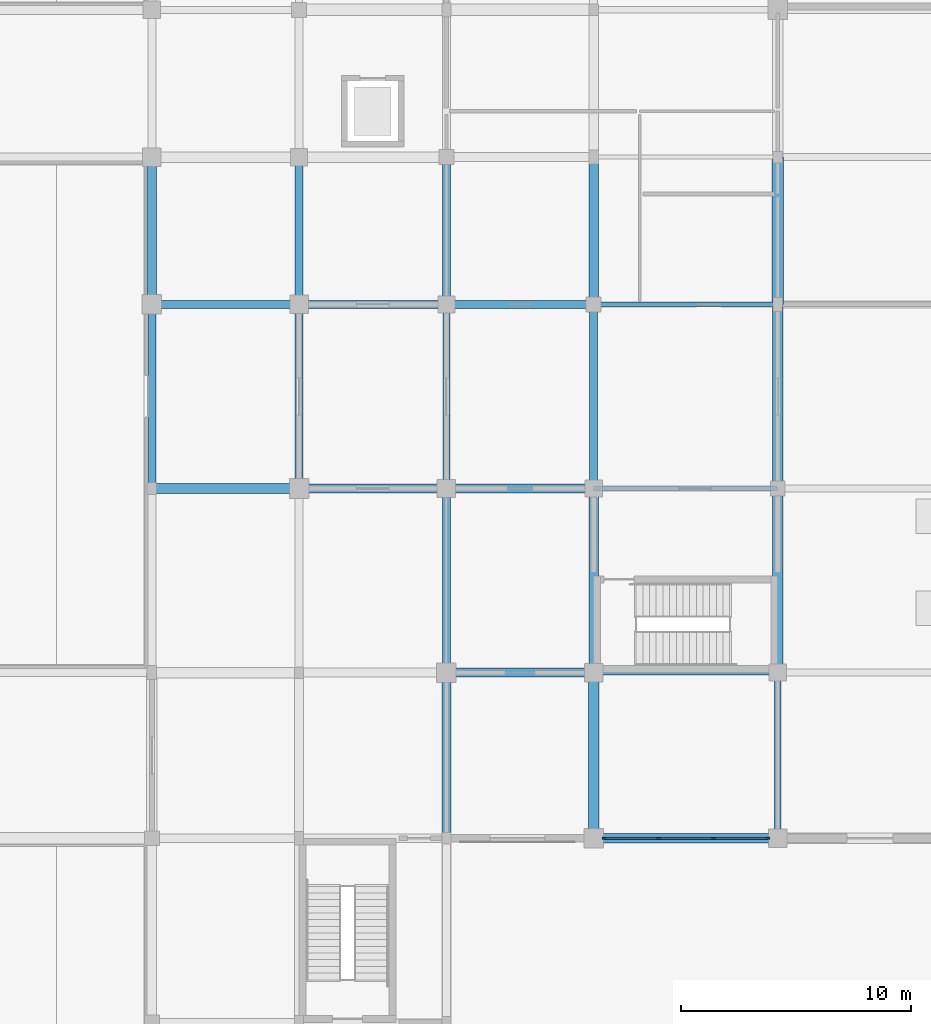
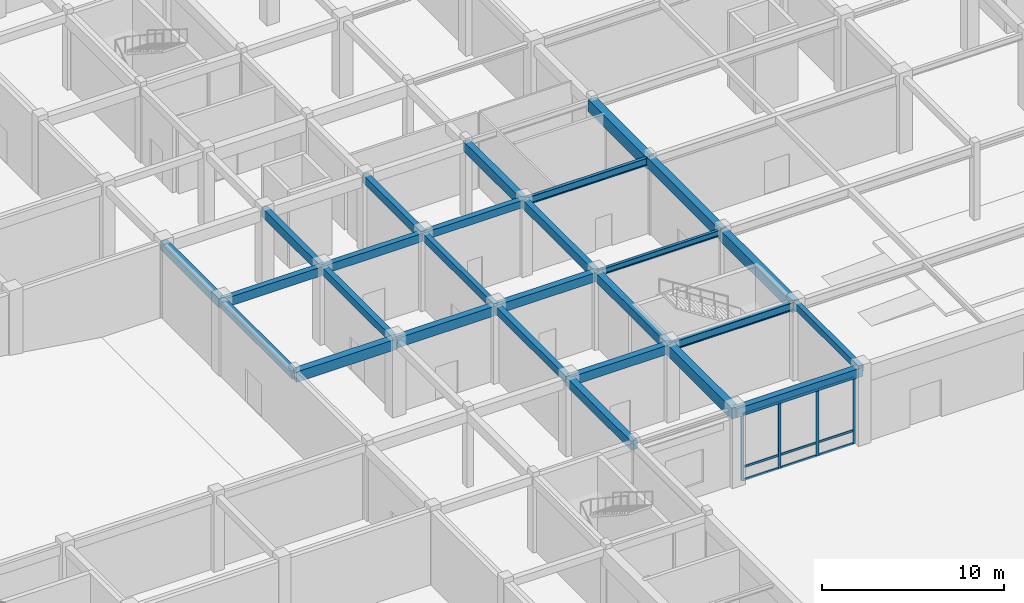
# One storey, part 8 of 40: 27 beams, 13 members, 1 element without a shape of its own.
"""IFC4 building model written with IfcOpenShell, lengths in metres."""

from ifc_helpers import new_model, si_unit, direction, frame, origin, origin_2d, place, context, subcontext, project, spatial, rectangle, i_section, extrude, material, material_profile, profile_set, type_object, element, aggregate, save


model = new_model("IFC4")

# Units and contexts
model_context = context("Model", 3, precision=1e-05, world=origin(), true_north=direction((0.0, 1.0)))
body_context = subcontext(model_context, "Body", "Model", "MODEL_VIEW")
ifc_project = project(units=[si_unit("LENGTHUNIT", "METRE"), si_unit("AREAUNIT", "SQUARE_METRE"), si_unit("VOLUMEUNIT", "CUBIC_METRE"), si_unit("PLANEANGLEUNIT", "RADIAN"), si_unit("MASSUNIT", "GRAM", prefix="KILO")], contexts=[model_context])

# Site, building, storey
site_placement = place(None, origin())
site = spatial("IfcSite", under=ifc_project, at=site_placement, CompositionType="ELEMENT")
building_placement = place(site_placement, origin())
building = spatial("IfcBuilding", under=site, at=building_placement, Name="Vellmiral Cinema and Media Centre", CompositionType="ELEMENT")
storey_placement = place(building_placement, origin())
storey = spatial("IfcBuildingStorey", under=building, at=storey_placement, Name="L00", CompositionType="ELEMENT", Elevation=0.0)

# Beams
ifc_material_1 = material(Name="Concrete C40/50", Category="concrete")
ifc_material_profile_1 = material_profile(ifc_material_1, rectangle(XDim=0.300048828125, YDim=0.449951171875, at=origin_2d()), Name="RC 300x450")
ifc_profile_set_1 = profile_set([ifc_material_profile_1], Name="Concrete C40/50")
beam_type_1 = type_object("IfcBeamType", Name="BM-RC-300x450", PredefinedType="BEAM", material=ifc_profile_set_1)
beam_1_placement = place(storey_placement, frame((62.39990234375, 36.0, 4.85009765625), z_axis=(0.0, 1.0, 0.0), x_axis=(-1.0, 0.0, 0.0)))
element("IfcBeam", 1, at=beam_1_placement, inside=storey, type_object=beam_type_1, Name="Grid Beam L00-Y260", PredefinedType="BEAM", context=body_context, shape_type="SweptSolid", body=[
    extrude(rectangle(XDim=0.300048828125, YDim=0.449951171875, at=origin_2d()), origin(), (0.0, 0.0, 1.0), 7.199951171875),
])
ifc_material_2 = material(Name="Concrete C40/50", Category="concrete")
ifc_material_profile_2 = material_profile(ifc_material_2, rectangle(XDim=0.300048828125, YDim=0.5, at=origin_2d()), Name="RC 300x500")
ifc_profile_set_2 = profile_set([ifc_material_profile_2], Name="Concrete C40/50")
beam_type_2 = type_object("IfcBeamType", Name="BM-RC-300x500", PredefinedType="BEAM", material=ifc_profile_set_2)
beam_2_placement = place(storey_placement, frame((48.0, 51.199951171875, 4.824951171875), z_axis=(0.0, 1.0, 0.0), x_axis=(-1.0, 0.0, 0.0)))
element("IfcBeam", 2, at=beam_2_placement, inside=storey, type_object=beam_type_2, Name="Grid Beam L00-Y246", PredefinedType="BEAM", context=body_context, shape_type="SweptSolid", body=[
    extrude(rectangle(XDim=0.300048828125, YDim=0.5, at=origin_2d()), origin(), (0.0, 0.0, 1.0), 8.0),
])
ifc_material_3 = material(Name="Concrete C40/50", Category="concrete")
ifc_material_profile_3 = material_profile(ifc_material_3, rectangle(XDim=0.35009765625, YDim=0.5, at=origin_2d()), Name="RC 350x500")
ifc_profile_set_3 = profile_set([ifc_material_profile_3], Name="Concrete C40/50")
beam_type_3 = type_object("IfcBeamType", Name="BM-RC-350x500", PredefinedType="BEAM", material=ifc_profile_set_3)
beam_3_placement = place(storey_placement, frame((48.0, 59.199951171875, 4.824951171875), z_axis=(1.0, 0.0, 0.0), x_axis=(0.0, 1.0, 0.0)))
element("IfcBeam", 3, at=beam_3_placement, inside=storey, type_object=beam_type_3, Name="Grid Beam L00-X072", PredefinedType="BEAM", context=body_context, shape_type="SweptSolid", body=[
    extrude(rectangle(XDim=0.35009765625, YDim=0.5, at=origin_2d()), origin(), (0.0, 0.0, 1.0), 6.39990234375),
])
for number, where, z_axis, x_axis, name in (
    (4, (41.60009765625, 51.199951171875, 4.824951171875), (0.0, 1.0, 0.0), (-1.0, 0.0, 0.0), "Grid Beam L00-Y234"),
    (5, (48.0, 43.199951171875, 4.824951171875), (0.0, 1.0, 0.0), (-1.0, 0.0, 0.0), "Grid Beam L00-Y245"),
):
    element("IfcBeam", number, at=place(storey_placement, frame(where, z_axis=z_axis, x_axis=x_axis)), inside=storey, type_object=beam_type_3, Name=name, PredefinedType="BEAM", context=body_context, shape_type="SweptSolid", body=[
        extrude(rectangle(XDim=0.35009765625, YDim=0.5, at=origin_2d()), origin(), (0.0, 0.0, 1.0), 8.0),
    ])
ifc_material_4 = material(Name="Concrete C40/50", Category="concrete")
ifc_material_profile_4 = material_profile(ifc_material_4, rectangle(XDim=0.35009765625, YDim=0.550048828125, at=origin_2d()), Name="RC 350x550")
ifc_profile_set_4 = profile_set([ifc_material_profile_4], Name="Concrete C40/50")
beam_type_4 = type_object("IfcBeamType", Name="BM-RC-350x550", PredefinedType="BEAM", material=ifc_profile_set_4)
beam_4_placement = place(storey_placement, frame((41.60009765625, 59.199951171875, 4.800048828125), z_axis=(1.0, 0.0, 0.0), x_axis=(0.0, 1.0, 0.0)))
element("IfcBeam", 6, at=beam_4_placement, inside=storey, type_object=beam_type_4, Name="Grid Beam L00-X071", PredefinedType="BEAM", context=body_context, shape_type="SweptSolid", body=[
    extrude(rectangle(XDim=0.35009765625, YDim=0.550048828125, at=origin_2d()), origin(), (0.0, 0.0, 1.0), 6.39990234375),
])
beam_5_placement = place(storey_placement, frame((35.199951171875, 51.199951171875, 4.800048828125), z_axis=(0.0, 1.0, 0.0), x_axis=(-1.0, 0.0, 0.0)))
element("IfcBeam", 7, at=beam_5_placement, inside=storey, type_object=beam_type_4, Name="Grid Beam L00-Y222", PredefinedType="BEAM", context=body_context, shape_type="SweptSolid", body=[
    extrude(rectangle(XDim=0.35009765625, YDim=0.550048828125, at=origin_2d()), origin(), (0.0, 0.0, 1.0), 8.0),
])
beam_6_placement = place(storey_placement, frame((48.0, 59.199951171875, 4.800048828125), z_axis=(0.0, 1.0, 0.0), x_axis=(-1.0, 0.0, 0.0)))
element("IfcBeam", 8, at=beam_6_placement, inside=storey, type_object=beam_type_4, Name="Grid Beam L00-Y247", PredefinedType="BEAM", context=body_context, shape_type="SweptSolid", body=[
    extrude(rectangle(XDim=0.35009765625, YDim=0.550048828125, at=origin_2d()), origin(), (0.0, 0.0, 1.0), 6.400146484375),
])
ifc_material_5 = material(Name="Concrete C40/50", Category="concrete")
ifc_material_profile_5 = material_profile(ifc_material_5, rectangle(XDim=0.35009765625, YDim=0.60009765625, at=origin_2d()), Name="RC 350x600")
ifc_profile_set_5 = profile_set([ifc_material_profile_5], Name="Concrete C40/50")
beam_type_5 = type_object("IfcBeamType", Name="BM-RC-350x600", PredefinedType="BEAM", material=ifc_profile_set_5)
for number, where, z_axis, x_axis, name in (
    (9, (35.199951171875, 59.199951171875, 4.77490234375), (1.0, 0.0, 0.0), (0.0, 1.0, 0.0), "Grid Beam L00-X070"),
    (10, (41.60009765625, 59.199951171875, 4.77490234375), (0.0, 1.0, 0.0), (-1.0, 0.0, 0.0), "Grid Beam L00-Y235"),
):
    element("IfcBeam", number, at=place(storey_placement, frame(where, z_axis=z_axis, x_axis=x_axis)), inside=storey, type_object=beam_type_5, Name=name, PredefinedType="BEAM", context=body_context, shape_type="SweptSolid", body=[
        extrude(rectangle(XDim=0.35009765625, YDim=0.60009765625, at=origin_2d()), origin(), (0.0, 0.0, 1.0), 6.400146484375),
    ])
beam_7_placement = place(storey_placement, frame((54.39990234375, 51.199951171875, 4.77490234375), z_axis=(0.0, 1.0, 0.0), x_axis=(-1.0, 0.0, 0.0)))
element("IfcBeam", 11, at=beam_7_placement, inside=storey, type_object=beam_type_5, Name="Grid Beam L00-Y254", PredefinedType="BEAM", context=body_context, shape_type="SweptSolid", body=[
    extrude(rectangle(XDim=0.35009765625, YDim=0.60009765625, at=origin_2d()), origin(), (0.0, 0.0, 1.0), 8.0),
])
ifc_material_6 = material(Name="Concrete C40/50", Category="concrete")
ifc_material_profile_6 = material_profile(ifc_material_6, rectangle(XDim=0.39990234375, YDim=0.60009765625, at=origin_2d()), Name="RC 400x600")
ifc_profile_set_6 = profile_set([ifc_material_profile_6], Name="Concrete C40/50")
beam_type_6 = type_object("IfcBeamType", Name="BM-RC-400x600", PredefinedType="BEAM", material=ifc_profile_set_6)
for number, where, z_axis, x_axis, name in (
    (12, (48.0, 43.199951171875, 4.77490234375), (1.0, 0.0, 0.0), (0.0, 1.0, 0.0), "Grid Beam L00-X047"),
    (13, (48.0, 51.199951171875, 4.77490234375), (1.0, 0.0, 0.0), (0.0, 1.0, 0.0), "Grid Beam L00-X058"),
):
    element("IfcBeam", number, at=place(storey_placement, frame(where, z_axis=z_axis, x_axis=x_axis)), inside=storey, type_object=beam_type_6, Name=name, PredefinedType="BEAM", context=body_context, shape_type="SweptSolid", body=[
        extrude(rectangle(XDim=0.39990234375, YDim=0.60009765625, at=origin_2d()), origin(), (0.0, 0.0, 1.0), 6.39990234375),
    ])
beam_8_placement = place(storey_placement, frame((35.199951171875, 59.199951171875, 4.77490234375), z_axis=(0.0, 1.0, 0.0), x_axis=(-1.0, 0.0, 0.0)))
element("IfcBeam", 14, at=beam_8_placement, inside=storey, type_object=beam_type_6, Name="Grid Beam L00-Y223", PredefinedType="BEAM", context=body_context, shape_type="SweptSolid", body=[
    extrude(rectangle(XDim=0.39990234375, YDim=0.60009765625, at=origin_2d()), origin(), (0.0, 0.0, 1.0), 6.400146484375),
])
beam_9_placement = place(storey_placement, frame((48.0, 36.0, 4.77490234375), z_axis=(0.0, 1.0, 0.0), x_axis=(-1.0, 0.0, 0.0)))
element("IfcBeam", 15, at=beam_9_placement, inside=storey, type_object=beam_type_6, Name="Grid Beam L00-Y244", PredefinedType="BEAM", context=body_context, shape_type="SweptSolid", body=[
    extrude(rectangle(XDim=0.39990234375, YDim=0.60009765625, at=origin_2d()), origin(), (0.0, 0.0, 1.0), 7.199951171875),
])
beam_10_placement = place(storey_placement, frame((54.39990234375, 43.199951171875, 4.77490234375), z_axis=(0.0, 1.0, 0.0), x_axis=(-1.0, 0.0, 0.0)))
element("IfcBeam", 16, at=beam_10_placement, inside=storey, type_object=beam_type_6, Name="Grid Beam L00-Y253", PredefinedType="BEAM", context=body_context, shape_type="SweptSolid", body=[
    extrude(rectangle(XDim=0.39990234375, YDim=0.60009765625, at=origin_2d()), origin(), (0.0, 0.0, 1.0), 8.0),
])
ifc_material_7 = material(Name="Concrete C40/50", Category="concrete")
ifc_material_profile_7 = material_profile(ifc_material_7, rectangle(XDim=0.39990234375, YDim=0.64990234375, at=origin_2d()), Name="RC 400x650")
ifc_profile_set_7 = profile_set([ifc_material_profile_7], Name="Concrete C40/50")
beam_type_7 = type_object("IfcBeamType", Name="BM-RC-400x650", PredefinedType="BEAM", material=ifc_profile_set_7)
beam_11_placement = place(storey_placement, frame((41.60009765625, 51.199951171875, 4.75), z_axis=(1.0, 0.0, 0.0), x_axis=(0.0, 1.0, 0.0)))
element("IfcBeam", 17, at=beam_11_placement, inside=storey, type_object=beam_type_7, Name="Grid Beam L00-X057", PredefinedType="BEAM", context=body_context, shape_type="SweptSolid", body=[
    extrude(rectangle(XDim=0.39990234375, YDim=0.64990234375, at=origin_2d()), origin(), (0.0, 0.0, 1.0), 6.39990234375),
])
beam_12_placement = place(storey_placement, frame((54.39990234375, 59.199951171875, 4.75), z_axis=(0.0, 1.0, 0.0), x_axis=(-1.0, 0.0, 0.0)))
element("IfcBeam", 18, at=beam_12_placement, inside=storey, type_object=beam_type_7, Name="Grid Beam L00-Y255", PredefinedType="BEAM", context=body_context, shape_type="SweptSolid", body=[
    extrude(rectangle(XDim=0.39990234375, YDim=0.64990234375, at=origin_2d()), origin(), (0.0, 0.0, 1.0), 6.400146484375),
])
ifc_material_8 = material(Name="Concrete C40/50", Category="concrete")
ifc_material_profile_8 = material_profile(ifc_material_8, rectangle(XDim=0.449951171875, YDim=0.699951171875, at=origin_2d()), Name="RC 450x700")
ifc_profile_set_8 = profile_set([ifc_material_profile_8], Name="Concrete C40/50")
beam_type_8 = type_object("IfcBeamType", Name="BM-RC-450x700", PredefinedType="BEAM", material=ifc_profile_set_8)
beam_13_placement = place(storey_placement, frame((35.199951171875, 51.199951171875, 4.72509765625), z_axis=(1.0, 0.0, 0.0), x_axis=(0.0, 1.0, 0.0)))
element("IfcBeam", 19, at=beam_13_placement, inside=storey, type_object=beam_type_8, Name="Grid Beam L00-X056", PredefinedType="BEAM", context=body_context, shape_type="SweptSolid", body=[
    extrude(rectangle(XDim=0.449951171875, YDim=0.699951171875, at=origin_2d()), origin(), (0.0, 0.0, 1.0), 6.400146484375),
])
beam_14_placement = place(storey_placement, frame((62.39990234375, 51.199951171875, 4.72509765625), z_axis=(0.0, 1.0, 0.0), x_axis=(-1.0, 0.0, 0.0)))
element("IfcBeam", 20, at=beam_14_placement, inside=storey, type_object=beam_type_8, Name="Grid Beam L00-Y262", PredefinedType="BEAM", context=body_context, shape_type="SweptSolid", body=[
    extrude(rectangle(XDim=0.449951171875, YDim=0.699951171875, at=origin_2d()), origin(), (0.0, 0.0, 1.0), 8.0),
])
ifc_material_9 = material(Name="Concrete C40/50", Category="concrete")
ifc_material_profile_9 = material_profile(ifc_material_9, rectangle(XDim=0.449951171875, YDim=0.75, at=origin_2d()), Name="RC 450x750")
ifc_profile_set_9 = profile_set([ifc_material_profile_9], Name="Concrete C40/50")
beam_type_9 = type_object("IfcBeamType", Name="BM-RC-450x750", PredefinedType="BEAM", material=ifc_profile_set_9)
beam_15_placement = place(storey_placement, frame((54.39990234375, 36.0, 4.699951171875), z_axis=(0.0, 1.0, 0.0), x_axis=(-1.0, 0.0, 0.0)))
element("IfcBeam", 21, at=beam_15_placement, inside=storey, type_object=beam_type_9, Name="Grid Beam L00-Y252", PredefinedType="BEAM", context=body_context, shape_type="SweptSolid", body=[
    extrude(rectangle(XDim=0.449951171875, YDim=0.75, at=origin_2d()), origin(), (0.0, 0.0, 1.0), 7.199951171875),
])
beam_16_placement = place(storey_placement, frame((62.39990234375, 43.199951171875, 4.699951171875), z_axis=(0.0, 1.0, 0.0), x_axis=(-1.0, 0.0, 0.0)))
element("IfcBeam", 22, at=beam_16_placement, inside=storey, type_object=beam_type_9, Name="Grid Beam L00-Y261", PredefinedType="BEAM", context=body_context, shape_type="SweptSolid", body=[
    extrude(rectangle(XDim=0.449951171875, YDim=0.75, at=origin_2d()), origin(), (0.0, 0.0, 1.0), 8.0),
])
ifc_material_10 = material(Name="Concrete C40/50", Category="concrete")
ifc_material_profile_10 = material_profile(ifc_material_10, rectangle(XDim=0.5, YDim=0.800048828125, at=origin_2d()), Name="RC 500x800")
ifc_profile_set_10 = profile_set([ifc_material_profile_10], Name="Concrete C40/50")
beam_type_10 = type_object("IfcBeamType", Name="BM-RC-500x800", PredefinedType="BEAM", material=ifc_profile_set_10)
beam_17_placement = place(storey_placement, frame((62.39990234375, 59.199951171875, 4.675048828125), z_axis=(0.0, 1.0, 0.0), x_axis=(-1.0, 0.0, 0.0)))
element("IfcBeam", 23, at=beam_17_placement, inside=storey, type_object=beam_type_10, Name="Grid Beam L00-Y263", PredefinedType="BEAM", context=body_context, shape_type="SweptSolid", body=[
    extrude(rectangle(XDim=0.5, YDim=0.800048828125, at=origin_2d()), origin(), (0.0, 0.0, 1.0), 6.400146484375),
])

# Curtain wall, members
ifc_material_11 = material(Name="Thermally Broken Aluminium and Triple Glazing", Category="aluminium")
curtain_wall_type = type_object("IfcCurtainWallType", Name="CW-POD-GALLERY", PredefinedType="USERDEFINED", material=ifc_material_11)
curtain_wall_placement = place(storey_placement, origin())
curtain_wall = element("IfcCurtainWall", 24, at=curtain_wall_placement, inside=storey, type_object=curtain_wall_type, Name="Curtain Wall L00-B013", ObjectType="STICK CURTAIN WALL", PredefinedType="USERDEFINED")
ifc_material_12 = material(Name="Thermally Broken Anodised Aluminium", Category="aluminium")
ifc_material_profile_11 = material_profile(ifc_material_12, rectangle(XDim=0.070068359375, YDim=0.179931640625, at=origin_2d()), Name="MULL 70x180")
ifc_profile_set_11 = profile_set([ifc_material_profile_11], Name="Thermally Broken Anodised Aluminium")
member_type_1 = type_object("IfcMemberType", Name="CWM-70x180", PredefinedType="MULLION", material=ifc_profile_set_11)
member_1_placement = place(storey_placement, frame((54.860107421875, 36.0, 0.0), z_axis=(0.0, 0.0, 1.0), x_axis=(0.0, 1.0, 0.0)))
member_1 = element("IfcMember", 25, at=member_1_placement, type_object=member_type_1, Name="CW-04 mullion 1", PredefinedType="MULLION", context=body_context, shape_type="SweptSolid", body=[
    extrude(rectangle(XDim=0.070068359375, YDim=0.179931640625, at=origin_2d()), origin(), (0.0, 0.0, 1.0), 4.465087890625),
])
member_2_placement = place(storey_placement, frame((57.216552734375, 36.0, 0.0), z_axis=(0.0, 0.0, 1.0), x_axis=(0.0, 1.0, 0.0)))
member_2 = element("IfcMember", 26, at=member_2_placement, type_object=member_type_1, Name="CW-04 mullion 2", PredefinedType="MULLION", context=body_context, shape_type="SweptSolid", body=[
    extrude(rectangle(XDim=0.070068359375, YDim=0.179931640625, at=origin_2d()), origin(), (0.0, 0.0, 1.0), 4.465087890625),
])
member_3_placement = place(storey_placement, frame((59.6083984375, 36.0, 0.0), z_axis=(0.0, 0.0, 1.0), x_axis=(0.0, 1.0, 0.0)))
member_3 = element("IfcMember", 27, at=member_3_placement, type_object=member_type_1, Name="CW-04 mullion 3", PredefinedType="MULLION", context=body_context, shape_type="SweptSolid", body=[
    extrude(rectangle(XDim=0.070068359375, YDim=0.179931640625, at=origin_2d()), origin(), (0.0, 0.0, 1.0), 4.465087890625),
])
member_4_placement = place(storey_placement, frame((61.965087890625, 36.0, 0.0), z_axis=(0.0, 0.0, 1.0), x_axis=(0.0, 1.0, 0.0)))
member_4 = element("IfcMember", 28, at=member_4_placement, type_object=member_type_1, Name="CW-04 mullion 4", PredefinedType="MULLION", context=body_context, shape_type="SweptSolid", body=[
    extrude(rectangle(XDim=0.070068359375, YDim=0.179931640625, at=origin_2d()), origin(), (0.0, 0.0, 1.0), 4.465087890625),
])
ifc_material_13 = material(Name="Thermally Broken Anodised Aluminium", Category="aluminium")
ifc_material_profile_12 = material_profile(ifc_material_13, rectangle(XDim=0.070068359375, YDim=0.14990234375, at=origin_2d()), Name="MULL 70x150")
ifc_profile_set_12 = profile_set([ifc_material_profile_12], Name="Thermally Broken Anodised Aluminium")
member_type_2 = type_object("IfcMemberType", Name="CWT-70x150", PredefinedType="USERDEFINED", material=ifc_profile_set_12)
member_5_placement = place(storey_placement, frame((54.89501953125, 36.0, 0.034912109375), z_axis=(1.0, 0.0, 0.0), x_axis=(0.0, 1.0, 0.0)))
member_5 = element("IfcMember", 29, at=member_5_placement, type_object=member_type_2, Name="CW-04 transom 1.1", ObjectType="TRANSOM", PredefinedType="USERDEFINED", context=body_context, shape_type="SweptSolid", body=[
    extrude(rectangle(XDim=0.070068359375, YDim=0.14990234375, at=origin_2d()), origin(), (0.0, 0.0, 1.0), 2.28662109375),
])
member_6_placement = place(storey_placement, frame((54.89501953125, 36.0, 0.89990234375), z_axis=(1.0, 0.0, 0.0), x_axis=(0.0, 1.0, 0.0)))
member_6 = element("IfcMember", 30, at=member_6_placement, type_object=member_type_2, Name="CW-04 transom 1.2", ObjectType="TRANSOM", PredefinedType="USERDEFINED", context=body_context, shape_type="SweptSolid", body=[
    extrude(rectangle(XDim=0.070068359375, YDim=0.14990234375, at=origin_2d()), origin(), (0.0, 0.0, 1.0), 2.28662109375),
])
member_7_placement = place(storey_placement, frame((54.89501953125, 36.0, 4.429931640625), z_axis=(1.0, 0.0, 0.0), x_axis=(0.0, 1.0, 0.0)))
member_7 = element("IfcMember", 31, at=member_7_placement, type_object=member_type_2, Name="CW-04 transom 1.3", ObjectType="TRANSOM", PredefinedType="USERDEFINED", context=body_context, shape_type="SweptSolid", body=[
    extrude(rectangle(XDim=0.070068359375, YDim=0.14990234375, at=origin_2d()), origin(), (0.0, 0.0, 1.0), 2.28662109375),
])
member_8_placement = place(storey_placement, frame((57.251708984375, 36.0, 0.034912109375), z_axis=(1.0, 0.0, 0.0), x_axis=(0.0, 1.0, 0.0)))
member_8 = element("IfcMember", 32, at=member_8_placement, type_object=member_type_2, Name="CW-04 transom 2.1", ObjectType="TRANSOM", PredefinedType="USERDEFINED", context=body_context, shape_type="SweptSolid", body=[
    extrude(rectangle(XDim=0.070068359375, YDim=0.14990234375, at=origin_2d()), origin(), (0.0, 0.0, 1.0), 2.321533203125),
])
member_9_placement = place(storey_placement, frame((57.251708984375, 36.0, 0.89990234375), z_axis=(1.0, 0.0, 0.0), x_axis=(0.0, 1.0, 0.0)))
member_9 = element("IfcMember", 33, at=member_9_placement, type_object=member_type_2, Name="CW-04 transom 2.2", ObjectType="TRANSOM", PredefinedType="USERDEFINED", context=body_context, shape_type="SweptSolid", body=[
    extrude(rectangle(XDim=0.070068359375, YDim=0.14990234375, at=origin_2d()), origin(), (0.0, 0.0, 1.0), 2.321533203125),
])
member_10_placement = place(storey_placement, frame((57.251708984375, 36.0, 4.429931640625), z_axis=(1.0, 0.0, 0.0), x_axis=(0.0, 1.0, 0.0)))
member_10 = element("IfcMember", 34, at=member_10_placement, type_object=member_type_2, Name="CW-04 transom 2.3", ObjectType="TRANSOM", PredefinedType="USERDEFINED", context=body_context, shape_type="SweptSolid", body=[
    extrude(rectangle(XDim=0.070068359375, YDim=0.14990234375, at=origin_2d()), origin(), (0.0, 0.0, 1.0), 2.321533203125),
])
member_11_placement = place(storey_placement, frame((59.643310546875, 36.0, 0.034912109375), z_axis=(1.0, 0.0, 0.0), x_axis=(0.0, 1.0, 0.0)))
member_11 = element("IfcMember", 35, at=member_11_placement, type_object=member_type_2, Name="CW-04 transom 3.1", ObjectType="TRANSOM", PredefinedType="USERDEFINED", context=body_context, shape_type="SweptSolid", body=[
    extrude(rectangle(XDim=0.070068359375, YDim=0.14990234375, at=origin_2d()), origin(), (0.0, 0.0, 1.0), 2.28662109375),
])
member_12_placement = place(storey_placement, frame((59.643310546875, 36.0, 0.89990234375), z_axis=(1.0, 0.0, 0.0), x_axis=(0.0, 1.0, 0.0)))
member_12 = element("IfcMember", 36, at=member_12_placement, type_object=member_type_2, Name="CW-04 transom 3.2", ObjectType="TRANSOM", PredefinedType="USERDEFINED", context=body_context, shape_type="SweptSolid", body=[
    extrude(rectangle(XDim=0.070068359375, YDim=0.14990234375, at=origin_2d()), origin(), (0.0, 0.0, 1.0), 2.28662109375),
])
member_13_placement = place(storey_placement, frame((59.643310546875, 36.0, 4.429931640625), z_axis=(1.0, 0.0, 0.0), x_axis=(0.0, 1.0, 0.0)))
member_13 = element("IfcMember", 37, at=member_13_placement, type_object=member_type_2, Name="CW-04 transom 3.3", ObjectType="TRANSOM", PredefinedType="USERDEFINED", context=body_context, shape_type="SweptSolid", body=[
    extrude(rectangle(XDim=0.070068359375, YDim=0.14990234375, at=origin_2d()), origin(), (0.0, 0.0, 1.0), 2.28662109375),
])
aggregate(curtain_wall, [member_1, member_2, member_3, member_4, member_5, member_6, member_7, member_8, member_9, member_10, member_11, member_12, member_13])

# Beams
ifc_material_14 = material(Name="Steel S355", Category="steel")
ifc_material_profile_13 = material_profile(ifc_material_14, i_section(OverallWidth=0.179931640625, OverallDepth=0.39990234375, WebThickness=0.008544921875, FlangeThickness=0.013427734375, FilletRadius=0.02099609375, at=origin_2d()), Name="IPE 400")
ifc_profile_set_13 = profile_set([ifc_material_profile_13], Name="Steel S355")
beam_type_11 = type_object("IfcBeamType", Name="SBM-IPE400", PredefinedType="BEAM", material=ifc_profile_set_13)
beam_18_placement = place(storey_placement, frame((54.39990234375, 51.199951171875, 4.875), z_axis=(1.0, 0.0, 0.0), x_axis=(0.0, 1.0, 0.0)))
element("IfcBeam", 38, at=beam_18_placement, inside=storey, type_object=beam_type_11, Name="Grid Beam L00-X059", PredefinedType="BEAM", context=body_context, shape_type="SweptSolid", body=[
    extrude(i_section(OverallWidth=0.179931640625, OverallDepth=0.39990234375, WebThickness=0.008544921875, FlangeThickness=0.013427734375, FilletRadius=0.02099609375, at=origin_2d()), origin(), (0.0, 0.0, 1.0), 8.0),
])
ifc_material_15 = material(Name="Steel S355", Category="steel")
ifc_material_profile_14 = material_profile(ifc_material_15, i_section(OverallWidth=0.199951171875, OverallDepth=0.5, WebThickness=0.01025390625, FlangeThickness=0.01611328125, FilletRadius=0.02099609375, at=origin_2d()), Name="IPE 500")
ifc_profile_set_14 = profile_set([ifc_material_profile_14], Name="Steel S355")
beam_type_12 = type_object("IfcBeamType", Name="SBM-IPE500", PredefinedType="BEAM", material=ifc_profile_set_14)
beam_19_placement = place(storey_placement, frame((54.39990234375, 59.199951171875, 4.824951171875), z_axis=(1.0, 0.0, 0.0), x_axis=(0.0, 1.0, 0.0)))
element("IfcBeam", 39, at=beam_19_placement, inside=storey, type_object=beam_type_12, Name="Grid Beam L00-X073", PredefinedType="BEAM", context=body_context, shape_type="SweptSolid", body=[
    extrude(i_section(OverallWidth=0.199951171875, OverallDepth=0.5, WebThickness=0.01025390625, FlangeThickness=0.01611328125, FilletRadius=0.02099609375, at=origin_2d()), origin(), (0.0, 0.0, 1.0), 8.0),
])
ifc_material_16 = material(Name="Steel S355", Category="steel")
ifc_material_profile_15 = material_profile(ifc_material_16, i_section(OverallWidth=0.2099609375, OverallDepth=0.550048828125, WebThickness=0.010986328125, FlangeThickness=0.01708984375, FilletRadius=0.02392578125, at=origin_2d()), Name="IPE 550")
ifc_profile_set_15 = profile_set([ifc_material_profile_15], Name="Steel S355")
beam_type_13 = type_object("IfcBeamType", Name="SBM-IPE550", PredefinedType="BEAM", material=ifc_profile_set_15)
beam_20_placement = place(storey_placement, frame((54.39990234375, 43.199951171875, 4.800048828125), z_axis=(1.0, 0.0, 0.0), x_axis=(0.0, 1.0, 0.0)))
element("IfcBeam", 40, at=beam_20_placement, inside=storey, type_object=beam_type_13, Name="Grid Beam L00-X048", PredefinedType="BEAM", context=body_context, shape_type="SweptSolid", body=[
    extrude(i_section(OverallWidth=0.2099609375, OverallDepth=0.550048828125, WebThickness=0.010986328125, FlangeThickness=0.01708984375, FilletRadius=0.02392578125, at=origin_2d()), origin(), (0.0, 0.0, 1.0), 8.0),
])
ifc_material_17 = material(Name="Concrete C40/50", Category="concrete")
ifc_material_profile_16 = material_profile(ifc_material_17, rectangle(XDim=0.39990234375, YDim=0.60009765625, at=origin_2d()), Name="RC 400x600")
ifc_profile_set_16 = profile_set([ifc_material_profile_16], Name="Concrete C40/50")
beam_type_14 = type_object("IfcBeamType", Name="SPD-RC-400x600", PredefinedType="SPANDREL", material=ifc_profile_set_16)
beam_21_placement = place(storey_placement, frame((54.39990234375, 36.0, 4.77490234375), z_axis=(1.0, 0.0, 0.0), x_axis=(0.0, 1.0, 0.0)))
element("IfcBeam", 41, at=beam_21_placement, inside=storey, type_object=beam_type_14, Name="Grid Beam L00-X030", PredefinedType="SPANDREL", context=body_context, shape_type="SweptSolid", body=[
    extrude(rectangle(XDim=0.39990234375, YDim=0.60009765625, at=origin_2d()), origin(), (0.0, 0.0, 1.0), 8.0),
])

save(model, "model.ifc")
